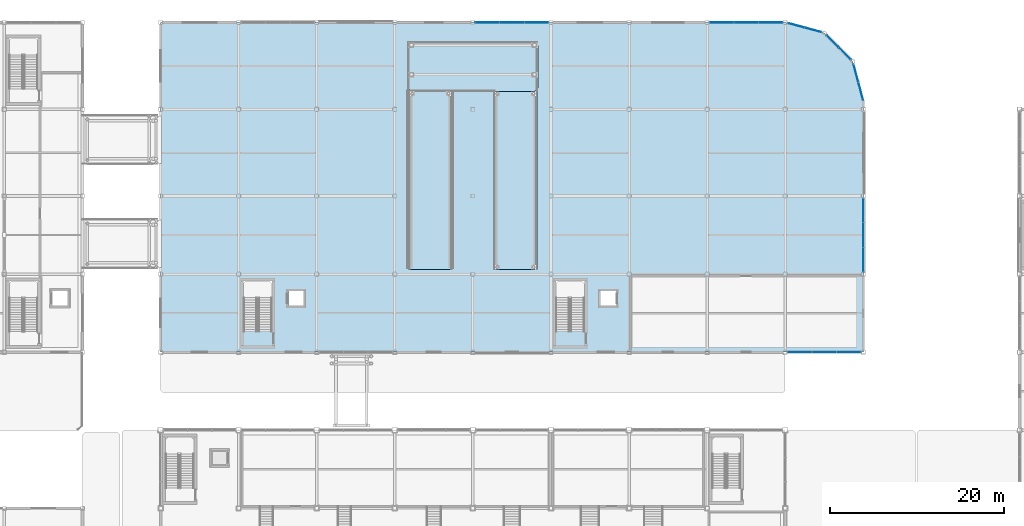
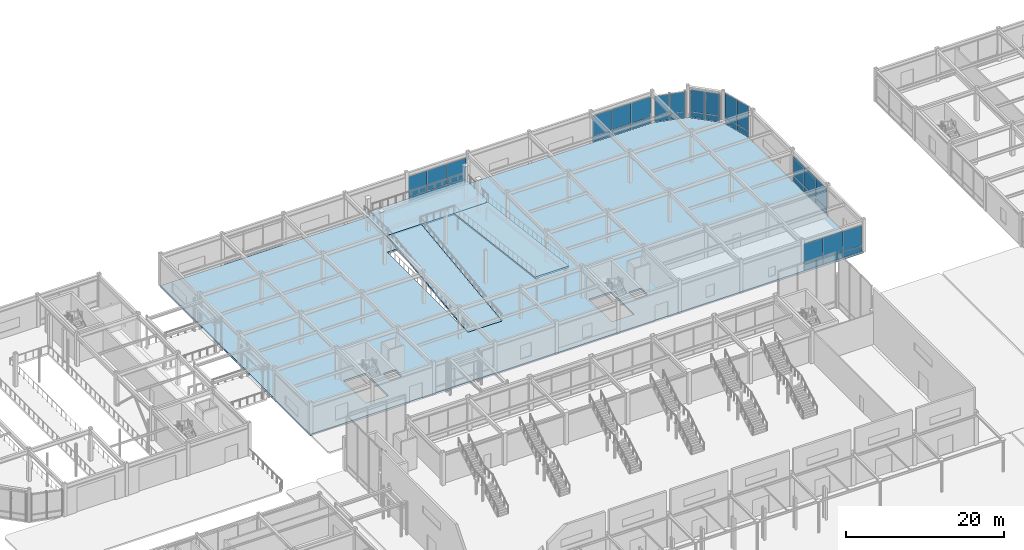
# One storey, part 68 of 123: 36 plates, 4 slabs, 7 elements without a shape of their own.
"""IFC4 building model written with IfcOpenShell, lengths in metres."""

import ifcopenshell
import ifcopenshell.guid

model = None  # the IFC model being written
_history = None  # IfcOwnerHistory: only IFC2X3 demands one
_inside = {}  # id of a spatial element -> (the spatial element, [elements in it])
_under = {}  # id of a project, library or spatial element -> (it, [spatial elements below it])
_declared = {}  # id of a project -> (the project, [libraries it declares])
_typed = {}  # id of a type object -> (the type object, [elements of that type])
_made_of = {}  # id of a material, layer set ... -> (it, [elements and type objects made of it])


def new_model(schema):
    """Start an empty IFC model of exactly this schema.

    Asked for "IFC4X3", IfcOpenShell would pick the latest addendum, in which some entities
    have other attributes; the version numbers below select the first issue.
    IFC2X3 requires an IfcOwnerHistory on every rooted entity: one is made here for all.
    """
    global model, _history
    if schema == "IFC4X3":
        model = ifcopenshell.file(schema_version=(4, 3, 0, 0))
    else:
        model = ifcopenshell.file(schema=schema)
    _inside.clear()
    _under.clear()
    _declared.clear()
    _typed.clear()
    _made_of.clear()
    _history = None
    if model.schema == "IFC2X3":
        org = make("IfcOrganization", Name="unknown")
        user = make(
            "IfcPersonAndOrganization",
            ThePerson=make("IfcPerson", FamilyName="unknown"),
            TheOrganization=org,
        )
        app = make(
            "IfcApplication",
            ApplicationDeveloper=org,
            Version="unknown",
            ApplicationFullName="unknown",
            ApplicationIdentifier="unknown",
        )
        _history = make(
            "IfcOwnerHistory",
            OwningUser=user,
            OwningApplication=app,
            ChangeAction="ADDED",
            CreationDate=0,
        )
    return model


def make(cls, **values):
    """One entity of the class cls with the attributes given. An attribute that is None is left unset."""
    return model.create_entity(
        cls, **{name: value for name, value in values.items() if value is not None}
    )


def rooted(cls, **values):
    """An entity with a GlobalId (a new one), such as an element, a storey or a relation."""
    return make(cls, GlobalId=ifcopenshell.guid.new(), OwnerHistory=_history, **values)


def si_unit(unit_type, name, prefix=None):
    """IfcSIUnit, for example si_unit("LENGTHUNIT", "METRE", prefix="MILLI")."""
    return make("IfcSIUnit", UnitType=unit_type, Prefix=prefix, Name=name)


def assignment(units):
    """IfcUnitAssignment: the units of a project."""
    return None if units is None else make("IfcUnitAssignment", Units=units)


def point(xyz):
    """IfcCartesianPoint."""
    return None if xyz is None else make("IfcCartesianPoint", Coordinates=xyz)


def direction(xyz):
    """IfcDirection."""
    return None if xyz is None else make("IfcDirection", DirectionRatios=xyz)


def frame(location, z_axis=None, x_axis=None):
    """IfcAxis2Placement3D, a coordinate frame: its origin and axes. An axis left out is left unset."""
    return make(
        "IfcAxis2Placement3D",
        Location=point(location),
        Axis=direction(z_axis),
        RefDirection=direction(x_axis),
    )


def frame_2d(location, x_axis=None):
    """IfcAxis2Placement2D, a coordinate frame in the plane: its origin and x axis."""
    return make(
        "IfcAxis2Placement2D", Location=point(location), RefDirection=direction(x_axis)
    )


def origin():
    """The frame at (0, 0, 0) with its axes left unset."""
    return frame((0.0, 0.0, 0.0))


def origin_2d():
    """The frame at (0, 0) in the plane with its x axis left unset."""
    return frame_2d((0.0, 0.0))


def place(relative_to, where):
    """IfcLocalPlacement: puts the frame where relative to a parent placement (None: the world)."""
    return make(
        "IfcLocalPlacement", PlacementRelTo=relative_to, RelativePlacement=where
    )


def context(
    kind, dimensions, precision=None, world=None, true_north=None, identifier=None
):
    """IfcGeometricRepresentationContext, for example the 3D "Model" context."""
    return make(
        "IfcGeometricRepresentationContext",
        ContextIdentifier=identifier,
        ContextType=kind,
        CoordinateSpaceDimension=dimensions,
        Precision=precision,
        WorldCoordinateSystem=world,
        TrueNorth=true_north,
    )


def subcontext(parent, identifier, kind, view, scale=None):
    """IfcGeometricRepresentationSubContext, for example "Body" below "Model"."""
    return make(
        "IfcGeometricRepresentationSubContext",
        ContextIdentifier=identifier,
        ContextType=kind,
        ParentContext=parent,
        TargetScale=scale,
        TargetView=view,
    )


def project(units=None, contexts=None):
    """IfcProject with its units and contexts."""
    return rooted(
        "IfcProject",
        Name="project",
        RepresentationContexts=contexts,
        UnitsInContext=assignment(units),
    )


def spatial(cls, under=None, at=None, **own):
    """A site, building, storey or space (cls), placed at a placement, below another one or the project."""
    s = rooted(cls, ObjectPlacement=at, **own)
    if under is not None:
        _under.setdefault(under.id(), (under, []))[1].append(s)
    return s


def polyline(points):
    """IfcPolyline through the points."""
    return make("IfcPolyline", Points=[point(p) for p in points])


def profile(cls, at=None, kind="AREA", **sizes):
    """A parametric profile (cls). Its sizes go by their IFC names, for example OverallWidth=200.0."""
    return make(cls, ProfileType=kind, Position=at, **sizes)


def rectangle(**sizes):
    """IfcRectangleProfileDef."""
    return profile("IfcRectangleProfileDef", **sizes)


def outline(outer, holes=None, kind="AREA"):
    """IfcArbitraryClosedProfileDef: a profile drawn as a closed curve; with holes, ...WithVoids."""
    if holes is None:
        return make("IfcArbitraryClosedProfileDef", ProfileType=kind, OuterCurve=outer)
    return make(
        "IfcArbitraryProfileDefWithVoids",
        ProfileType=kind,
        OuterCurve=outer,
        InnerCurves=holes,
    )


def extrude(swept, where, along, depth):
    """IfcExtrudedAreaSolid: the profile swept, set in the frame where, extruded along a direction by depth."""
    return make(
        "IfcExtrudedAreaSolid",
        SweptArea=swept,
        Position=where,
        ExtrudedDirection=direction(along),
        Depth=depth,
    )


def shape(context_of_items, identifier, shape_type, items):
    """IfcShapeRepresentation: the items that make up one representation, for example the "Body"."""
    return make(
        "IfcShapeRepresentation",
        ContextOfItems=context_of_items,
        RepresentationIdentifier=identifier,
        RepresentationType=shape_type,
        Items=items,
    )


def material(Name=None, Category=None):
    """IfcMaterial."""
    return make("IfcMaterial", Name=Name, Category=Category)


def layer(
    of_material, thickness, ventilated=None, Name=None, Category=None, Priority=None
):
    """IfcMaterialLayer: one layer of a wall or slab, of a material (None: an air gap)."""
    return make(
        "IfcMaterialLayer",
        Material=of_material,
        LayerThickness=thickness,
        IsVentilated=ventilated,
        Name=Name,
        Category=Category,
        Priority=Priority,
    )


def layer_set(layers, Name=None):
    """IfcMaterialLayerSet."""
    return make("IfcMaterialLayerSet", MaterialLayers=layers, LayerSetName=Name)


def made_of(thing, what):
    """Note that an element or type object is made of a material, layer set ...; save() writes the relation."""
    if what is not None:
        _made_of.setdefault(what.id(), (what, []))[1].append(thing)
    return thing


def type_object(cls, material=None, **own):
    """A type object (cls), such as IfcWallType, which elements share."""
    return made_of(rooted(cls, **own), material)


def element(
    cls,
    number,
    at=None,
    inside=None,
    cuts=None,
    type_object=None,
    material=None,
    context=None,
    identifier="Body",
    shape_type=None,
    held_by="IfcProductDefinitionShape",
    body=None,
    shapes=None,
    **own,
):
    """One element of the class cls, such as IfcWall. Its Tag is "e" and its number.

    at: its placement. inside: the storey or other place that contains it. cuts: it is an
    opening in that element (IfcRelVoidsElement). A single representation is given by context,
    identifier, shape_type and body (its items); several are given by shapes. held_by: the class
    of the entity that holds the representations. save() writes the other relations.
    """
    e = rooted(cls, Tag="e%d" % number, ObjectPlacement=at, **own)
    if body is not None:
        shapes = [shape(context, identifier, shape_type, body)]
    if shapes is not None:
        e.Representation = make(held_by, Representations=shapes)
    if inside is not None:
        _inside.setdefault(inside.id(), (inside, []))[1].append(e)
    if cuts is not None:
        rooted(
            "IfcRelVoidsElement", RelatingBuildingElement=cuts, RelatedOpeningElement=e
        )
    if type_object is not None:
        _typed.setdefault(type_object.id(), (type_object, []))[1].append(e)
    return made_of(e, material)


def aggregate(whole, parts):
    """IfcRelAggregates: a whole, such as a stair, and the parts it consists of."""
    return rooted("IfcRelAggregates", RelatingObject=whole, RelatedObjects=parts)


def save(model, path):
    """Write the relations noted so far, then the file.

    IfcRelAggregates (storeys below a building ...), IfcRelContainedInSpatialStructure (elements
    in a storey), IfcRelDefinesByType, IfcRelAssociatesMaterial and IfcRelDeclares: one each for
    every whole, place, type object, material and project.
    """
    for whole, parts in _under.values():
        aggregate(whole, parts)
    for where, things in _inside.values():
        rooted(
            "IfcRelContainedInSpatialStructure",
            RelatedElements=things,
            RelatingStructure=where,
        )
    for kind, things in _typed.values():
        rooted("IfcRelDefinesByType", RelatedObjects=things, RelatingType=kind)
    for what, things in _made_of.values():
        rooted("IfcRelAssociatesMaterial", RelatedObjects=things, RelatingMaterial=what)
    for by, libraries in _declared.values():
        rooted("IfcRelDeclares", RelatingContext=by, RelatedDefinitions=libraries)
    model.write(path)


model = new_model("IFC4")

# Units and contexts
model_context = context("Model", 3, precision=1e-05, world=origin(), true_north=direction((0.0, 1.0)))
body_context = subcontext(model_context, "Body", "Model", "MODEL_VIEW")
ifc_project = project(units=[si_unit("LENGTHUNIT", "METRE"), si_unit("AREAUNIT", "SQUARE_METRE"), si_unit("VOLUMEUNIT", "CUBIC_METRE"), si_unit("PLANEANGLEUNIT", "RADIAN"), si_unit("MASSUNIT", "GRAM", prefix="KILO")], contexts=[model_context])

# Site, building, storey
site_placement = place(None, origin())
site = spatial("IfcSite", under=ifc_project, at=site_placement, CompositionType="ELEMENT")
building_placement = place(site_placement, origin())
building = spatial("IfcBuilding", under=site, at=building_placement, Name="Suzunagisa Mobility Hub", CompositionType="ELEMENT")
storey_placement = place(building_placement, origin())
storey = spatial("IfcBuildingStorey", under=building, at=storey_placement, Name="L00", CompositionType="ELEMENT", Elevation=0.0)

# Slabs
ifc_material_1 = material(Name="Concrete C35/45", Category="concrete")
ifc_layer_1 = layer(ifc_material_1, 0.280029296875)
ifc_layer_set_1 = layer_set([ifc_layer_1], Name="Concrete C35/45")
slab_type_1 = type_object("IfcSlabType", Name="Composite Slab SL-10 280mm", PredefinedType="FLOOR", material=ifc_layer_set_1)
slab_1_placement = place(storey_placement, frame((0.0, 0.0, -0.280029296875)))
element("IfcSlab", 1, at=slab_1_placement, inside=storey, type_object=slab_type_1, Name="L00 V4 Floor Slab", PredefinedType="FLOOR", context=body_context, shape_type="SweptSolid", body=[
    extrude(outline(polyline([(45.0, 80.0), (126.0, 80.0), (126.0, 109.0), (124.794189453125, 113.5), (121.5, 116.794189453125), (117.0, 118.0), (45.0, 118.0), (45.0, 80.0)]), holes=[polyline([(54.56005859375, 82.47998046875), (57.840087890625, 82.47998046875), (57.840087890625, 88.199951171875), (54.56005859375, 88.199951171875), (54.56005859375, 82.47998046875)]), polyline([(59.719970703125, 85.3701171875), (61.47998046875, 85.3701171875), (61.47998046875, 87.030029296875), (59.719970703125, 87.030029296875), (59.719970703125, 85.3701171875)]), polyline([(90.56005859375, 82.47998046875), (93.840087890625, 82.47998046875), (93.840087890625, 88.199951171875), (90.56005859375, 88.199951171875), (90.56005859375, 82.47998046875)]), polyline([(95.719970703125, 85.3701171875), (97.47998046875, 85.3701171875), (97.47998046875, 87.030029296875), (95.719970703125, 87.030029296875), (95.719970703125, 85.3701171875)]), polyline([(73.580078125, 89.64990234375), (78.6201171875, 89.64990234375), (78.6201171875, 110.0), (73.580078125, 110.0), (73.580078125, 89.64990234375)])]), origin(), (0.0, 0.0, 1.0), 0.280029296875),
])
ifc_layer_2 = layer(ifc_material_1, 0.25)
ifc_layer_set_2 = layer_set([ifc_layer_2], Name="Concrete C35/45")
slab_type_2 = type_object("IfcSlabType", Name="Composite Slab SL-13 250mm", PredefinedType="FLOOR", material=ifc_layer_set_2)
slab_2_placement = place(storey_placement, frame((0.0, 0.0, 2.300048828125)))
element("IfcSlab", 2, at=slab_2_placement, inside=storey, type_object=slab_type_2, Name="L00 Vehicle Ramp Turn Deck VR-03-L1", PredefinedType="FLOOR", context=body_context, shape_type="SweptSolid", body=[
    extrude(outline(polyline([(73.949951171875, 110.050048828125), (88.050048828125, 110.050048828125), (88.5, 110.5), (88.5, 115.35009765625), (88.050048828125, 115.800048828125), (73.949951171875, 115.800048828125), (73.5, 115.35009765625), (73.5, 110.5), (73.949951171875, 110.050048828125)])), origin(), (0.0, 0.0, 1.0), 0.25),
])
ifc_layer_3 = layer(ifc_material_1, 0.25)
ifc_layer_set_3 = layer_set([ifc_layer_3], Name="Concrete C35/45")
slab_type_3 = type_object("IfcSlabType", Name="Composite Slab SL-19 250mm", PredefinedType="FLOOR", material=ifc_layer_set_3)
slab_3_placement = place(storey_placement, frame((73.60009765625, 89.550048828125, 0.0), z_axis=(0.0, -0.123441256192, 0.992351881275), x_axis=(1.0, 0.0, 0.0)))
element("IfcSlab", 3, at=slab_3_placement, inside=storey, type_object=slab_type_3, Name="L00 Vehicle Ramp Slab VR-03-F1", PredefinedType="FLOOR", context=body_context, shape_type="SweptSolid", body=[
    extrude(outline(polyline([(0.0, 0.0), (5.0, 0.0), (5.0, 20.657994796829186), (0.0, 20.657994796829186), (0.0, 0.0)])), origin(), (0.0, 0.0, -1.0), 0.25),
])
slab_4_placement = place(storey_placement, frame((83.39990234375, 110.050048828125, 2.550048828125), z_axis=(0.0, 0.123441256192, 0.992351881275), x_axis=(1.0, 0.0, 0.0)))
element("IfcSlab", 4, at=slab_4_placement, inside=storey, type_object=slab_type_3, Name="L00 Vehicle Ramp Slab VR-03-F2", PredefinedType="FLOOR", context=body_context, shape_type="SweptSolid", body=[
    extrude(outline(polyline([(0.0, 0.0), (5.0, 0.0), (5.0, -20.657994796829186), (0.0, -20.657994796829186), (0.0, 0.0)])), origin(), (0.0, 0.0, -1.0), 0.25),
])

# Curtain wall, plates
ifc_material_2 = material(Name="Thermally Broken Anodized Aluminum and Low-E Glazing", Category="aluminium")
curtain_wall_type_1 = type_object("IfcCurtainWallType", Name="Unitised Curtain Wall CW-32 8500x4200", PredefinedType="USERDEFINED", material=ifc_material_2)
curtain_wall_1_placement = place(storey_placement, origin())
curtain_wall_1 = element("IfcCurtainWall", 5, at=curtain_wall_1_placement, inside=storey, type_object=curtain_wall_type_1, Name="L00 Unitised Curtain Wall CW-92", ObjectType="UNITISED CURTAIN WALL", PredefinedType="USERDEFINED")
ifc_material_3 = material(Name="Low-E Solar-Control Double Glazing", Category="glass")
ifc_layer_4 = layer(ifc_material_3, 0.028076171875)
ifc_layer_set_4 = layer_set([ifc_layer_4], Name="Low-E Solar-Control Double Glazing")
plate_type = type_object("IfcPlateType", Name="Low-E Double Glazed Curtain Panel GP-01 28mm", PredefinedType="CURTAIN_PANEL", material=ifc_layer_set_4)
plate_1_placement = place(storey_placement, frame((118.666259765625, 80.0, 0.06298828125), z_axis=(0.0, 0.0, 1.0), x_axis=(1.0, 0.0, 0.0)))
plate_1 = element("IfcPlate", 6, at=plate_1_placement, type_object=plate_type, Name="Curtain Wall Glazing Panel 92-P1.1", PredefinedType="CURTAIN_PANEL", context=body_context, shape_type="SweptSolid", body=[
    extrude(rectangle(XDim=2.756591796875, YDim=0.028076171875, at=origin_2d()), origin(), (0.0, 0.0, 1.0), 0.8564453125),
])
plate_2_placement = place(storey_placement, frame((118.666259765625, 80.0, 0.98046875), z_axis=(0.0, 0.0, 1.0), x_axis=(1.0, 0.0, 0.0)))
plate_2 = element("IfcPlate", 7, at=plate_2_placement, type_object=plate_type, Name="Curtain Wall Glazing Panel 92-P1.2", PredefinedType="CURTAIN_PANEL", context=body_context, shape_type="SweptSolid", body=[
    extrude(rectangle(XDim=2.756591796875, YDim=0.028076171875, at=origin_2d()), origin(), (0.0, 0.0, 1.0), 3.146484375),
])
plate_3_placement = place(storey_placement, frame((121.5, 80.0, 0.06298828125), z_axis=(0.0, 0.0, 1.0), x_axis=(1.0, 0.0, 0.0)))
plate_3 = element("IfcPlate", 8, at=plate_3_placement, type_object=plate_type, Name="Curtain Wall Glazing Panel 92-P2.1", PredefinedType="CURTAIN_PANEL", context=body_context, shape_type="SweptSolid", body=[
    extrude(rectangle(XDim=2.7890625, YDim=0.028076171875, at=origin_2d()), origin(), (0.0, 0.0, 1.0), 0.8564453125),
])
plate_4_placement = place(storey_placement, frame((121.5, 80.0, 0.98046875), z_axis=(0.0, 0.0, 1.0), x_axis=(1.0, 0.0, 0.0)))
plate_4 = element("IfcPlate", 9, at=plate_4_placement, type_object=plate_type, Name="Curtain Wall Glazing Panel 92-P2.2", PredefinedType="CURTAIN_PANEL", context=body_context, shape_type="SweptSolid", body=[
    extrude(rectangle(XDim=2.7890625, YDim=0.028076171875, at=origin_2d()), origin(), (0.0, 0.0, 1.0), 3.146484375),
])
plate_5_placement = place(storey_placement, frame((124.333740234375, 80.0, 0.06298828125), z_axis=(0.0, 0.0, 1.0), x_axis=(1.0, 0.0, 0.0)))
plate_5 = element("IfcPlate", 10, at=plate_5_placement, type_object=plate_type, Name="Curtain Wall Glazing Panel 92-P3.1", PredefinedType="CURTAIN_PANEL", context=body_context, shape_type="SweptSolid", body=[
    extrude(rectangle(XDim=2.756591796875, YDim=0.028076171875, at=origin_2d()), origin(), (0.0, 0.0, 1.0), 0.8564453125),
])
plate_6_placement = place(storey_placement, frame((124.333740234375, 80.0, 0.98046875), z_axis=(0.0, 0.0, 1.0), x_axis=(1.0, 0.0, 0.0)))
plate_6 = element("IfcPlate", 11, at=plate_6_placement, type_object=plate_type, Name="Curtain Wall Glazing Panel 92-P3.2", PredefinedType="CURTAIN_PANEL", context=body_context, shape_type="SweptSolid", body=[
    extrude(rectangle(XDim=2.756591796875, YDim=0.028076171875, at=origin_2d()), origin(), (0.0, 0.0, 1.0), 3.146484375),
])
aggregate(curtain_wall_1, [plate_1, plate_2, plate_3, plate_4, plate_5, plate_6])

curtain_wall_type_2 = type_object("IfcCurtainWallType", Name="Unitised Curtain Wall CW-09 8500x4100", PredefinedType="USERDEFINED", material=ifc_material_2)
curtain_wall_2_placement = place(storey_placement, origin())
curtain_wall_2 = element("IfcCurtainWall", 12, at=curtain_wall_2_placement, inside=storey, type_object=curtain_wall_type_2, Name="L00 Unitised Curtain Wall CW-93", ObjectType="UNITISED CURTAIN WALL", PredefinedType="USERDEFINED")
plate_7_placement = place(storey_placement, frame((126.0, 90.666259765625, 0.06298828125), z_axis=(0.0, 0.0, 1.0), x_axis=(0.0, 1.0, 0.0)))
plate_7 = element("IfcPlate", 13, at=plate_7_placement, type_object=plate_type, Name="Curtain Wall Glazing Panel 93-P1.1", PredefinedType="CURTAIN_PANEL", context=body_context, shape_type="SweptSolid", body=[
    extrude(rectangle(XDim=2.756591796875, YDim=0.028076171875, at=origin_2d()), origin(), (0.0, 0.0, 1.0), 0.8564453125),
])
plate_8_placement = place(storey_placement, frame((126.0, 90.666259765625, 0.980712890625), z_axis=(0.0, 0.0, 1.0), x_axis=(0.0, 1.0, 0.0)))
plate_8 = element("IfcPlate", 14, at=plate_8_placement, type_object=plate_type, Name="Curtain Wall Glazing Panel 93-P1.2", PredefinedType="CURTAIN_PANEL", context=body_context, shape_type="SweptSolid", body=[
    extrude(rectangle(XDim=2.756591796875, YDim=0.028076171875, at=origin_2d()), origin(), (0.0, 0.0, 1.0), 3.04638671875),
])
plate_9_placement = place(storey_placement, frame((126.0, 93.5, 0.06298828125), z_axis=(0.0, 0.0, 1.0), x_axis=(0.0, 1.0, 0.0)))
plate_9 = element("IfcPlate", 15, at=plate_9_placement, type_object=plate_type, Name="Curtain Wall Glazing Panel 93-P2.1", PredefinedType="CURTAIN_PANEL", context=body_context, shape_type="SweptSolid", body=[
    extrude(rectangle(XDim=2.7890625, YDim=0.028076171875, at=origin_2d()), origin(), (0.0, 0.0, 1.0), 0.8564453125),
])
plate_10_placement = place(storey_placement, frame((126.0, 93.5, 0.980712890625), z_axis=(0.0, 0.0, 1.0), x_axis=(0.0, 1.0, 0.0)))
plate_10 = element("IfcPlate", 16, at=plate_10_placement, type_object=plate_type, Name="Curtain Wall Glazing Panel 93-P2.2", PredefinedType="CURTAIN_PANEL", context=body_context, shape_type="SweptSolid", body=[
    extrude(rectangle(XDim=2.7890625, YDim=0.028076171875, at=origin_2d()), origin(), (0.0, 0.0, 1.0), 3.04638671875),
])
plate_11_placement = place(storey_placement, frame((126.0, 96.333740234375, 0.06298828125), z_axis=(0.0, 0.0, 1.0), x_axis=(0.0, 1.0, 0.0)))
plate_11 = element("IfcPlate", 17, at=plate_11_placement, type_object=plate_type, Name="Curtain Wall Glazing Panel 93-P3.1", PredefinedType="CURTAIN_PANEL", context=body_context, shape_type="SweptSolid", body=[
    extrude(rectangle(XDim=2.756591796875, YDim=0.028076171875, at=origin_2d()), origin(), (0.0, 0.0, 1.0), 0.8564453125),
])
plate_12_placement = place(storey_placement, frame((126.0, 96.333740234375, 0.980712890625), z_axis=(0.0, 0.0, 1.0), x_axis=(0.0, 1.0, 0.0)))
plate_12 = element("IfcPlate", 18, at=plate_12_placement, type_object=plate_type, Name="Curtain Wall Glazing Panel 93-P3.2", PredefinedType="CURTAIN_PANEL", context=body_context, shape_type="SweptSolid", body=[
    extrude(rectangle(XDim=2.756591796875, YDim=0.028076171875, at=origin_2d()), origin(), (0.0, 0.0, 1.0), 3.04638671875),
])
aggregate(curtain_wall_2, [plate_7, plate_8, plate_9, plate_10, plate_11, plate_12])

curtain_wall_type_3 = type_object("IfcCurtainWallType", Name="Unitised Curtain Wall CW-08 4500x4800", PredefinedType="USERDEFINED", material=ifc_material_2)
curtain_wall_3_placement = place(storey_placement, origin())
curtain_wall_3 = element("IfcCurtainWall", 19, at=curtain_wall_3_placement, inside=storey, type_object=curtain_wall_type_3, Name="L00 Unitised Curtain Wall CW-94", ObjectType="UNITISED CURTAIN WALL", PredefinedType="USERDEFINED")
plate_13_placement = place(storey_placement, frame((125.71240234375, 110.072998046875, 0.05810546875), z_axis=(0.0, 0.0, 1.0), x_axis=(-0.258815230137, 0.965926848498, 0.0)))
plate_13 = element("IfcPlate", 20, at=plate_13_placement, type_object=plate_type, Name="Curtain Wall Glazing Panel 94-P1.1", PredefinedType="CURTAIN_PANEL", context=body_context, shape_type="SweptSolid", body=[
    extrude(rectangle(XDim=2.095947265625, YDim=0.028076171875, at=origin_2d()), origin(), (0.0, 0.0, 1.0), 0.864013671875),
])
plate_14_placement = place(storey_placement, frame((125.71240234375, 110.072998046875, 0.97802734375), z_axis=(0.0, 0.0, 1.0), x_axis=(-0.258815230137, 0.965926848498, 0.0)))
plate_14 = element("IfcPlate", 21, at=plate_14_placement, type_object=plate_type, Name="Curtain Wall Glazing Panel 94-P1.2", PredefinedType="CURTAIN_PANEL", context=body_context, shape_type="SweptSolid", body=[
    extrude(rectangle(XDim=2.095947265625, YDim=0.028076171875, at=origin_2d()), origin(), (0.0, 0.0, 1.0), 3.803955078125),
])
plate_15_placement = place(storey_placement, frame((125.154296875, 112.156494140625, 0.05810546875), z_axis=(0.0, 0.0, 1.0), x_axis=(-0.258815230137, 0.965926848498, 0.0)))
plate_15 = element("IfcPlate", 22, at=plate_15_placement, type_object=plate_type, Name="Curtain Wall Glazing Panel 94-P2.1", PredefinedType="CURTAIN_PANEL", context=body_context, shape_type="SweptSolid", body=[
    extrude(rectangle(XDim=2.095947265625, YDim=0.028076171875, at=origin_2d()), origin(), (0.0, 0.0, 1.0), 0.864013671875),
])
plate_16_placement = place(storey_placement, frame((125.154296875, 112.156494140625, 0.97802734375), z_axis=(0.0, 0.0, 1.0), x_axis=(-0.258815230137, 0.965926848498, 0.0)))
plate_16 = element("IfcPlate", 23, at=plate_16_placement, type_object=plate_type, Name="Curtain Wall Glazing Panel 94-P2.2", PredefinedType="CURTAIN_PANEL", context=body_context, shape_type="SweptSolid", body=[
    extrude(rectangle(XDim=2.095947265625, YDim=0.028076171875, at=origin_2d()), origin(), (0.0, 0.0, 1.0), 3.803955078125),
])
aggregate(curtain_wall_3, [plate_13, plate_14, plate_15, plate_16])

curtain_wall_type_4 = type_object("IfcCurtainWallType", Name="Unitised Curtain Wall CW-26 4000x4400", PredefinedType="USERDEFINED", material=ifc_material_2)
curtain_wall_4_placement = place(storey_placement, origin())
curtain_wall_4 = element("IfcCurtainWall", 24, at=curtain_wall_4_placement, inside=storey, type_object=curtain_wall_type_4, Name="L00 Unitised Curtain Wall CW-95", ObjectType="UNITISED CURTAIN WALL", PredefinedType="USERDEFINED")
plate_17_placement = place(storey_placement, frame((123.8447265625, 114.449462890625, 0.05810546875), z_axis=(0.0, 0.0, 1.0), x_axis=(-0.707106781187, 0.707106781187, 0.0)))
plate_17 = element("IfcPlate", 25, at=plate_17_placement, type_object=plate_type, Name="Curtain Wall Glazing Panel 95-P1.1", PredefinedType="CURTAIN_PANEL", context=body_context, shape_type="SweptSolid", body=[
    extrude(rectangle(XDim=1.91259765625, YDim=0.028076171875, at=origin_2d()), origin(), (0.0, 0.0, 1.0), 0.864013671875),
])
plate_18_placement = place(storey_placement, frame((123.8447265625, 114.449462890625, 0.97802734375), z_axis=(0.0, 0.0, 1.0), x_axis=(-0.707106781187, 0.707106781187, 0.0)))
plate_18 = element("IfcPlate", 26, at=plate_18_placement, type_object=plate_type, Name="Curtain Wall Glazing Panel 95-P1.2", PredefinedType="CURTAIN_PANEL", context=body_context, shape_type="SweptSolid", body=[
    extrude(rectangle(XDim=1.91259765625, YDim=0.028076171875, at=origin_2d()), origin(), (0.0, 0.0, 1.0), 3.404052734375),
])
plate_19_placement = place(storey_placement, frame((122.44921875, 115.844970703125, 0.05810546875), z_axis=(0.0, 0.0, 1.0), x_axis=(-0.707106781187, 0.707106781187, 0.0)))
plate_19 = element("IfcPlate", 27, at=plate_19_placement, type_object=plate_type, Name="Curtain Wall Glazing Panel 95-P2.1", PredefinedType="CURTAIN_PANEL", context=body_context, shape_type="SweptSolid", body=[
    extrude(rectangle(XDim=1.91259765625, YDim=0.028076171875, at=origin_2d()), origin(), (0.0, 0.0, 1.0), 0.864013671875),
])
plate_20_placement = place(storey_placement, frame((122.44921875, 115.844970703125, 0.97802734375), z_axis=(0.0, 0.0, 1.0), x_axis=(-0.707106781187, 0.707106781187, 0.0)))
plate_20 = element("IfcPlate", 28, at=plate_20_placement, type_object=plate_type, Name="Curtain Wall Glazing Panel 95-P2.2", PredefinedType="CURTAIN_PANEL", context=body_context, shape_type="SweptSolid", body=[
    extrude(rectangle(XDim=1.91259765625, YDim=0.028076171875, at=origin_2d()), origin(), (0.0, 0.0, 1.0), 3.404052734375),
])
aggregate(curtain_wall_4, [plate_17, plate_18, plate_19, plate_20])

curtain_wall_type_5 = type_object("IfcCurtainWallType", Name="Unitised Curtain Wall CW-40 4000x4100", PredefinedType="USERDEFINED", material=ifc_material_2)
curtain_wall_5_placement = place(storey_placement, origin())
curtain_wall_5 = element("IfcCurtainWall", 29, at=curtain_wall_5_placement, inside=storey, type_object=curtain_wall_type_5, Name="L00 Unitised Curtain Wall CW-96", ObjectType="UNITISED CURTAIN WALL", PredefinedType="USERDEFINED")
plate_21_placement = place(storey_placement, frame((120.22314453125, 117.136474609375, 0.05810546875), z_axis=(0.0, 0.0, 1.0), x_axis=(-0.965925206606, 0.258821357779, 0.0)))
plate_21 = element("IfcPlate", 30, at=plate_21_placement, type_object=plate_type, Name="Curtain Wall Glazing Panel 96-P1.1", PredefinedType="CURTAIN_PANEL", context=body_context, shape_type="SweptSolid", body=[
    extrude(rectangle(XDim=1.9580078125, YDim=0.028076171875, at=origin_2d()), origin(), (0.0, 0.0, 1.0), 0.864013671875),
])
plate_22_placement = place(storey_placement, frame((120.22314453125, 117.136474609375, 0.97802734375), z_axis=(0.0, 0.0, 1.0), x_axis=(-0.965925206606, 0.258821357779, 0.0)))
plate_22 = element("IfcPlate", 31, at=plate_22_placement, type_object=plate_type, Name="Curtain Wall Glazing Panel 96-P1.2", PredefinedType="CURTAIN_PANEL", context=body_context, shape_type="SweptSolid", body=[
    extrude(rectangle(XDim=1.9580078125, YDim=0.028076171875, at=origin_2d()), origin(), (0.0, 0.0, 1.0), 3.053955078125),
])
plate_23_placement = place(storey_placement, frame((118.272705078125, 117.658935546875, 0.05810546875), z_axis=(0.0, 0.0, 1.0), x_axis=(-0.965925206606, 0.258821357779, 0.0)))
plate_23 = element("IfcPlate", 32, at=plate_23_placement, type_object=plate_type, Name="Curtain Wall Glazing Panel 96-P2.1", PredefinedType="CURTAIN_PANEL", context=body_context, shape_type="SweptSolid", body=[
    extrude(rectangle(XDim=1.9580078125, YDim=0.028076171875, at=origin_2d()), origin(), (0.0, 0.0, 1.0), 0.864013671875),
])
plate_24_placement = place(storey_placement, frame((118.272705078125, 117.658935546875, 0.97802734375), z_axis=(0.0, 0.0, 1.0), x_axis=(-0.965925206606, 0.258821357779, 0.0)))
plate_24 = element("IfcPlate", 33, at=plate_24_placement, type_object=plate_type, Name="Curtain Wall Glazing Panel 96-P2.2", PredefinedType="CURTAIN_PANEL", context=body_context, shape_type="SweptSolid", body=[
    extrude(rectangle(XDim=1.9580078125, YDim=0.028076171875, at=origin_2d()), origin(), (0.0, 0.0, 1.0), 3.053955078125),
])
aggregate(curtain_wall_5, [plate_21, plate_22, plate_23, plate_24])

curtain_wall_6_placement = place(storey_placement, origin())
curtain_wall_6 = element("IfcCurtainWall", 34, at=curtain_wall_6_placement, inside=storey, type_object=curtain_wall_type_1, Name="L00 Unitised Curtain Wall CW-97", ObjectType="UNITISED CURTAIN WALL", PredefinedType="USERDEFINED")
plate_25_placement = place(storey_placement, frame((115.333740234375, 118.0, 0.06298828125), z_axis=(0.0, 0.0, 1.0), x_axis=(-1.0, 0.0, 0.0)))
plate_25 = element("IfcPlate", 35, at=plate_25_placement, type_object=plate_type, Name="Curtain Wall Glazing Panel 97-P1.1", PredefinedType="CURTAIN_PANEL", context=body_context, shape_type="SweptSolid", body=[
    extrude(rectangle(XDim=2.756591796875, YDim=0.028076171875, at=origin_2d()), origin(), (0.0, 0.0, 1.0), 0.8564453125),
])
plate_26_placement = place(storey_placement, frame((115.333740234375, 118.0, 0.98046875), z_axis=(0.0, 0.0, 1.0), x_axis=(-1.0, 0.0, 0.0)))
plate_26 = element("IfcPlate", 36, at=plate_26_placement, type_object=plate_type, Name="Curtain Wall Glazing Panel 97-P1.2", PredefinedType="CURTAIN_PANEL", context=body_context, shape_type="SweptSolid", body=[
    extrude(rectangle(XDim=2.756591796875, YDim=0.028076171875, at=origin_2d()), origin(), (0.0, 0.0, 1.0), 3.146484375),
])
plate_27_placement = place(storey_placement, frame((112.5, 118.0, 0.06298828125), z_axis=(0.0, 0.0, 1.0), x_axis=(-1.0, 0.0, 0.0)))
plate_27 = element("IfcPlate", 37, at=plate_27_placement, type_object=plate_type, Name="Curtain Wall Glazing Panel 97-P2.1", PredefinedType="CURTAIN_PANEL", context=body_context, shape_type="SweptSolid", body=[
    extrude(rectangle(XDim=2.7890625, YDim=0.028076171875, at=origin_2d()), origin(), (0.0, 0.0, 1.0), 0.8564453125),
])
plate_28_placement = place(storey_placement, frame((112.5, 118.0, 0.98046875), z_axis=(0.0, 0.0, 1.0), x_axis=(-1.0, 0.0, 0.0)))
plate_28 = element("IfcPlate", 38, at=plate_28_placement, type_object=plate_type, Name="Curtain Wall Glazing Panel 97-P2.2", PredefinedType="CURTAIN_PANEL", context=body_context, shape_type="SweptSolid", body=[
    extrude(rectangle(XDim=2.7890625, YDim=0.028076171875, at=origin_2d()), origin(), (0.0, 0.0, 1.0), 3.146484375),
])
plate_29_placement = place(storey_placement, frame((109.666259765625, 118.0, 0.06298828125), z_axis=(0.0, 0.0, 1.0), x_axis=(-1.0, 0.0, 0.0)))
plate_29 = element("IfcPlate", 39, at=plate_29_placement, type_object=plate_type, Name="Curtain Wall Glazing Panel 97-P3.1", PredefinedType="CURTAIN_PANEL", context=body_context, shape_type="SweptSolid", body=[
    extrude(rectangle(XDim=2.756591796875, YDim=0.028076171875, at=origin_2d()), origin(), (0.0, 0.0, 1.0), 0.8564453125),
])
plate_30_placement = place(storey_placement, frame((109.666259765625, 118.0, 0.98046875), z_axis=(0.0, 0.0, 1.0), x_axis=(-1.0, 0.0, 0.0)))
plate_30 = element("IfcPlate", 40, at=plate_30_placement, type_object=plate_type, Name="Curtain Wall Glazing Panel 97-P3.2", PredefinedType="CURTAIN_PANEL", context=body_context, shape_type="SweptSolid", body=[
    extrude(rectangle(XDim=2.756591796875, YDim=0.028076171875, at=origin_2d()), origin(), (0.0, 0.0, 1.0), 3.146484375),
])
aggregate(curtain_wall_6, [plate_25, plate_26, plate_27, plate_28, plate_29, plate_30])

curtain_wall_7_placement = place(storey_placement, origin())
curtain_wall_7 = element("IfcCurtainWall", 41, at=curtain_wall_7_placement, inside=storey, type_object=curtain_wall_type_1, Name="L00 Unitised Curtain Wall CW-98", ObjectType="UNITISED CURTAIN WALL", PredefinedType="USERDEFINED")
plate_31_placement = place(storey_placement, frame((88.333740234375, 118.0, 0.06298828125), z_axis=(0.0, 0.0, 1.0), x_axis=(-1.0, 0.0, 0.0)))
plate_31 = element("IfcPlate", 42, at=plate_31_placement, type_object=plate_type, Name="Curtain Wall Glazing Panel 98-P1.1", PredefinedType="CURTAIN_PANEL", context=body_context, shape_type="SweptSolid", body=[
    extrude(rectangle(XDim=2.756591796875, YDim=0.028076171875, at=origin_2d()), origin(), (0.0, 0.0, 1.0), 0.8564453125),
])
plate_32_placement = place(storey_placement, frame((88.333740234375, 118.0, 0.98046875), z_axis=(0.0, 0.0, 1.0), x_axis=(-1.0, 0.0, 0.0)))
plate_32 = element("IfcPlate", 43, at=plate_32_placement, type_object=plate_type, Name="Curtain Wall Glazing Panel 98-P1.2", PredefinedType="CURTAIN_PANEL", context=body_context, shape_type="SweptSolid", body=[
    extrude(rectangle(XDim=2.756591796875, YDim=0.028076171875, at=origin_2d()), origin(), (0.0, 0.0, 1.0), 3.146484375),
])
plate_33_placement = place(storey_placement, frame((85.5, 118.0, 0.06298828125), z_axis=(0.0, 0.0, 1.0), x_axis=(-1.0, 0.0, 0.0)))
plate_33 = element("IfcPlate", 44, at=plate_33_placement, type_object=plate_type, Name="Curtain Wall Glazing Panel 98-P2.1", PredefinedType="CURTAIN_PANEL", context=body_context, shape_type="SweptSolid", body=[
    extrude(rectangle(XDim=2.7890625, YDim=0.028076171875, at=origin_2d()), origin(), (0.0, 0.0, 1.0), 0.8564453125),
])
plate_34_placement = place(storey_placement, frame((85.5, 118.0, 0.98046875), z_axis=(0.0, 0.0, 1.0), x_axis=(-1.0, 0.0, 0.0)))
plate_34 = element("IfcPlate", 45, at=plate_34_placement, type_object=plate_type, Name="Curtain Wall Glazing Panel 98-P2.2", PredefinedType="CURTAIN_PANEL", context=body_context, shape_type="SweptSolid", body=[
    extrude(rectangle(XDim=2.7890625, YDim=0.028076171875, at=origin_2d()), origin(), (0.0, 0.0, 1.0), 3.146484375),
])
plate_35_placement = place(storey_placement, frame((82.666259765625, 118.0, 0.06298828125), z_axis=(0.0, 0.0, 1.0), x_axis=(-1.0, 0.0, 0.0)))
plate_35 = element("IfcPlate", 46, at=plate_35_placement, type_object=plate_type, Name="Curtain Wall Glazing Panel 98-P3.1", PredefinedType="CURTAIN_PANEL", context=body_context, shape_type="SweptSolid", body=[
    extrude(rectangle(XDim=2.756591796875, YDim=0.028076171875, at=origin_2d()), origin(), (0.0, 0.0, 1.0), 0.8564453125),
])
plate_36_placement = place(storey_placement, frame((82.666259765625, 118.0, 0.98046875), z_axis=(0.0, 0.0, 1.0), x_axis=(-1.0, 0.0, 0.0)))
plate_36 = element("IfcPlate", 47, at=plate_36_placement, type_object=plate_type, Name="Curtain Wall Glazing Panel 98-P3.2", PredefinedType="CURTAIN_PANEL", context=body_context, shape_type="SweptSolid", body=[
    extrude(rectangle(XDim=2.756591796875, YDim=0.028076171875, at=origin_2d()), origin(), (0.0, 0.0, 1.0), 3.146484375),
])
aggregate(curtain_wall_7, [plate_31, plate_32, plate_33, plate_34, plate_35, plate_36])

save(model, "model.ifc")
